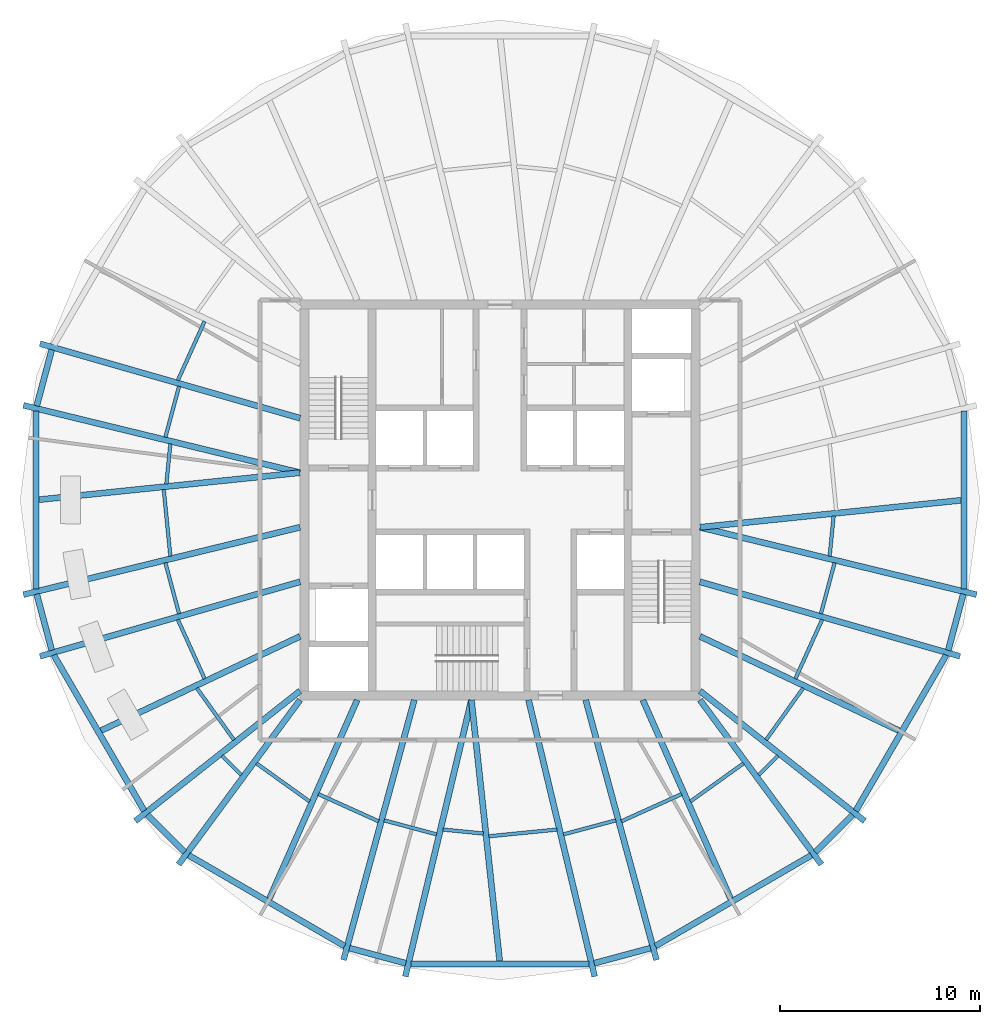
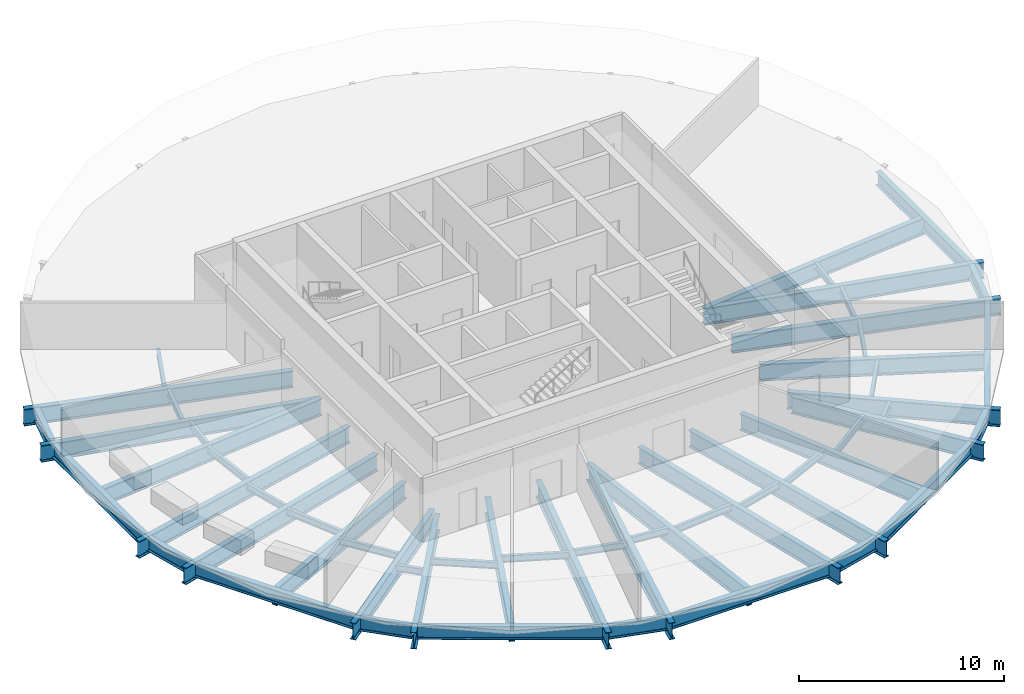
# One storey, part 1 of 7: 56 beams.
"""IFC4 building model written with IfcOpenShell, lengths in metres."""

from ifc_helpers import new_model, si_unit, direction, frame, origin, origin_2d, place, context, subcontext, project, spatial, i_section, extrude, material, material_profile, profile_set, type_object, element, save


model = new_model("IFC4")

# Units and contexts
model_context = context("Model", 3, precision=1e-05, world=origin(), true_north=direction((0.0, 1.0)))
body_context = subcontext(model_context, "Body", "Model", "MODEL_VIEW")
ifc_project = project(units=[si_unit("LENGTHUNIT", "METRE"), si_unit("AREAUNIT", "SQUARE_METRE"), si_unit("VOLUMEUNIT", "CUBIC_METRE"), si_unit("PLANEANGLEUNIT", "RADIAN"), si_unit("MASSUNIT", "GRAM", prefix="KILO")], contexts=[model_context])

# Site, building, storey
site_placement = place(None, origin())
site = spatial("IfcSite", under=ifc_project, at=site_placement, CompositionType="ELEMENT")
building_placement = place(site_placement, origin())
building = spatial("IfcBuilding", under=site, at=building_placement, Name="Golbaran Civic Tower", CompositionType="ELEMENT")
storey_placement = place(building_placement, frame((0.0, 0.0, 171.0)))
storey = spatial("IfcBuildingStorey", under=building, at=storey_placement, Name="L41", CompositionType="ELEMENT", Elevation=171.0)

# Beams
ifc_material = material(Name="Steel S355", Category="steel")
ifc_material_profile_1 = material_profile(ifc_material, i_section(OverallWidth=0.300048828125, OverallDepth=0.800048828125, WebThickness=0.017578125, FlangeThickness=0.032958984375, FilletRadius=0.030029296875, at=origin_2d()), Name="HEB 800")
ifc_profile_set_1 = profile_set([ifc_material_profile_1], Name="Steel S355")
beam_type_1 = type_object("IfcBeamType", Name="EDGE BEAM HEB 800", PredefinedType="BEAM", material=ifc_profile_set_1)
beam_1_placement = place(storey_placement, frame((-22.41259765625, 7.513916015625, -0.60009765625), z_axis=(-0.258979532644, -0.965882809492, 0.0), x_axis=(0.965882809492, -0.258979532644, 0.0)))
element("IfcBeam", 1, at=beam_1_placement, inside=storey, type_object=beam_type_1, Name="Edge beam 161.29 L41", PredefinedType="BEAM", context=body_context, shape_type="SweptSolid", body=[
    extrude(i_section(OverallWidth=0.300048828125, OverallDepth=0.800048828125, WebThickness=0.017578125, FlangeThickness=0.032958984375, FilletRadius=0.030029296875, at=origin_2d()), origin(), (0.0, 0.0, 1.0), 2.9072265625),
])
beam_2_placement = place(storey_placement, frame((-23.19921875, 4.4462890625, -0.60009765625), z_axis=(0.0, -1.0, 0.0), x_axis=(1.0, 0.0, 0.0)))
element("IfcBeam", 2, at=beam_2_placement, inside=storey, type_object=beam_type_1, Name="Edge beam 168.71 L41", PredefinedType="BEAM", context=body_context, shape_type="SweptSolid", body=[
    extrude(i_section(OverallWidth=0.300048828125, OverallDepth=0.800048828125, WebThickness=0.017578125, FlangeThickness=0.032958984375, FilletRadius=0.030029296875, at=origin_2d()), origin(), (0.0, 0.0, 1.0), 8.892578125),
])
beam_3_placement = place(storey_placement, frame((-23.16552734375, -4.705810546875, -0.60009765625), z_axis=(0.258979532644, -0.965882809492, 0.0), x_axis=(0.965882809492, 0.258979532644, 0.0)))
element("IfcBeam", 3, at=beam_3_placement, inside=storey, type_object=beam_type_1, Name="Edge beam 191.29 L41", PredefinedType="BEAM", context=body_context, shape_type="SweptSolid", body=[
    extrude(i_section(OverallWidth=0.300048828125, OverallDepth=0.800048828125, WebThickness=0.017578125, FlangeThickness=0.032958984375, FilletRadius=0.030029296875, at=origin_2d()), origin(), (0.0, 0.0, 1.0), 2.9072265625),
])
beam_4_placement = place(storey_placement, frame((-22.311767578125, -7.75537109375, -0.60009765625), z_axis=(0.502203579972, -0.864749422817, 0.0), x_axis=(0.864749422817, 0.502203579972, 0.0)))
element("IfcBeam", 4, at=beam_4_placement, inside=storey, type_object=beam_type_1, Name="Edge beam 198.71 L41", PredefinedType="BEAM", context=body_context, shape_type="SweptSolid", body=[
    extrude(i_section(OverallWidth=0.300048828125, OverallDepth=0.800048828125, WebThickness=0.017578125, FlangeThickness=0.032958984375, FilletRadius=0.030029296875, at=origin_2d()), origin(), (0.0, 0.0, 1.0), 8.99951171875),
])
beam_5_placement = place(storey_placement, frame((-17.6337890625, -15.743896484375, -0.60009765625), z_axis=(0.706503705369, -0.707709343092, 0.0), x_axis=(0.707709343092, 0.706503705369, 0.0)))
element("IfcBeam", 5, at=beam_5_placement, inside=storey, type_object=beam_type_1, Name="Edge beam 221.29 L41", PredefinedType="BEAM", context=body_context, shape_type="SweptSolid", body=[
    extrude(i_section(OverallWidth=0.300048828125, OverallDepth=0.800048828125, WebThickness=0.017578125, FlangeThickness=0.032958984375, FilletRadius=0.030029296875, at=origin_2d()), origin(), (0.0, 0.0, 1.0), 2.632568359375),
])
beam_6_placement = place(storey_placement, frame((-15.56787109375, -17.765625, -0.60009765625), z_axis=(0.864154529819, -0.503226538046, 0.0), x_axis=(0.503226538046, 0.864154529819, 0.0)))
element("IfcBeam", 6, at=beam_6_placement, inside=storey, type_object=beam_type_1, Name="Edge beam 228.71 L41", PredefinedType="BEAM", context=body_context, shape_type="SweptSolid", body=[
    extrude(i_section(OverallWidth=0.300048828125, OverallDepth=0.800048828125, WebThickness=0.017578125, FlangeThickness=0.032958984375, FilletRadius=0.030029296875, at=origin_2d()), origin(), (0.0, 0.0, 1.0), 9.02294921875),
])
beam_7_placement = place(storey_placement, frame((-7.529052734375, -22.407470703125, -0.60009765625), z_axis=(0.965762613666, -0.259427396481, 0.0), x_axis=(0.259427396481, 0.965762613666, 0.0)))
element("IfcBeam", 7, at=beam_7_placement, inside=storey, type_object=beam_type_1, Name="Edge beam 251.29 L41", PredefinedType="BEAM", context=body_context, shape_type="SweptSolid", body=[
    extrude(i_section(OverallWidth=0.300048828125, OverallDepth=0.800048828125, WebThickness=0.017578125, FlangeThickness=0.032958984375, FilletRadius=0.030029296875, at=origin_2d()), origin(), (0.0, 0.0, 1.0), 2.918212890625),
])
beam_8_placement = place(storey_placement, frame((-4.451416015625, -23.1982421875, -0.60009765625), z_axis=(1.0, 0.0, 0.0), x_axis=(0.0, 1.0, 0.0)))
element("IfcBeam", 8, at=beam_8_placement, inside=storey, type_object=beam_type_1, Name="Edge beam 258.71 L41", PredefinedType="BEAM", context=body_context, shape_type="SweptSolid", body=[
    extrude(i_section(OverallWidth=0.300048828125, OverallDepth=0.800048828125, WebThickness=0.017578125, FlangeThickness=0.032958984375, FilletRadius=0.030029296875, at=origin_2d()), origin(), (0.0, 0.0, 1.0), 8.90283203125),
])
beam_9_placement = place(storey_placement, frame((4.710693359375, -23.16455078125, -0.60009765625), z_axis=(0.965762613666, 0.259427396481, 0.0), x_axis=(-0.259427396481, 0.965762613666, 0.0)))
element("IfcBeam", 9, at=beam_9_placement, inside=storey, type_object=beam_type_1, Name="Edge beam 281.29 L41", PredefinedType="BEAM", context=body_context, shape_type="SweptSolid", body=[
    extrude(i_section(OverallWidth=0.300048828125, OverallDepth=0.800048828125, WebThickness=0.017578125, FlangeThickness=0.032958984375, FilletRadius=0.030029296875, at=origin_2d()), origin(), (0.0, 0.0, 1.0), 2.918212890625),
])
beam_10_placement = place(storey_placement, frame((7.770751953125, -22.30615234375, -0.60009765625), z_axis=(0.864154529819, 0.503226538046, 0.0), x_axis=(-0.503226538046, 0.864154529819, 0.0)))
element("IfcBeam", 10, at=beam_10_placement, inside=storey, type_object=beam_type_1, Name="Edge beam 288.71 L41", PredefinedType="BEAM", context=body_context, shape_type="SweptSolid", body=[
    extrude(i_section(OverallWidth=0.300048828125, OverallDepth=0.800048828125, WebThickness=0.017578125, FlangeThickness=0.032958984375, FilletRadius=0.030029296875, at=origin_2d()), origin(), (0.0, 0.0, 1.0), 9.02294921875),
])
beam_11_placement = place(storey_placement, frame((15.77392578125, -17.60693359375, -0.60009765625), z_axis=(0.706503705369, 0.707709343092, 0.0), x_axis=(-0.707709343092, 0.706503705369, 0.0)))
element("IfcBeam", 11, at=beam_11_placement, inside=storey, type_object=beam_type_1, Name="Edge beam 311.29 L41", PredefinedType="BEAM", context=body_context, shape_type="SweptSolid", body=[
    extrude(i_section(OverallWidth=0.300048828125, OverallDepth=0.800048828125, WebThickness=0.017578125, FlangeThickness=0.032958984375, FilletRadius=0.030029296875, at=origin_2d()), origin(), (0.0, 0.0, 1.0), 2.632568359375),
])
beam_12_placement = place(storey_placement, frame((17.792236328125, -15.53759765625, -0.60009765625), z_axis=(0.502203579972, 0.864749422817, 0.0), x_axis=(-0.864749422817, 0.502203579972, 0.0)))
element("IfcBeam", 12, at=beam_12_placement, inside=storey, type_object=beam_type_1, Name="Edge beam 318.71 L41", PredefinedType="BEAM", context=body_context, shape_type="SweptSolid", body=[
    extrude(i_section(OverallWidth=0.300048828125, OverallDepth=0.800048828125, WebThickness=0.017578125, FlangeThickness=0.032958984375, FilletRadius=0.030029296875, at=origin_2d()), origin(), (0.0, 0.0, 1.0), 8.99951171875),
])
beam_13_placement = place(storey_placement, frame((22.41259765625, -7.513916015625, -0.60009765625), z_axis=(0.258979532644, 0.965882809492, 0.0), x_axis=(-0.965882809492, 0.258979532644, 0.0)))
element("IfcBeam", 13, at=beam_13_placement, inside=storey, type_object=beam_type_1, Name="Edge beam 341.29 L41", PredefinedType="BEAM", context=body_context, shape_type="SweptSolid", body=[
    extrude(i_section(OverallWidth=0.300048828125, OverallDepth=0.800048828125, WebThickness=0.017578125, FlangeThickness=0.032958984375, FilletRadius=0.030029296875, at=origin_2d()), origin(), (0.0, 0.0, 1.0), 2.9072265625),
])
beam_14_placement = place(storey_placement, frame((23.19921875, -4.4462890625, -0.60009765625), z_axis=(0.0, 1.0, 0.0), x_axis=(-1.0, 0.0, 0.0)))
element("IfcBeam", 14, at=beam_14_placement, inside=storey, type_object=beam_type_1, Name="Edge beam 348.71 L41", PredefinedType="BEAM", context=body_context, shape_type="SweptSolid", body=[
    extrude(i_section(OverallWidth=0.300048828125, OverallDepth=0.800048828125, WebThickness=0.017578125, FlangeThickness=0.032958984375, FilletRadius=0.030029296875, at=origin_2d()), origin(), (0.0, 0.0, 1.0), 8.892578125),
])
ifc_material_profile_2 = material_profile(ifc_material, i_section(OverallWidth=0.179931640625, OverallDepth=0.39990234375, WebThickness=0.008544921875, FlangeThickness=0.013427734375, FilletRadius=0.02099609375, at=origin_2d()), Name="IPE 400")
ifc_profile_set_2 = profile_set([ifc_material_profile_2], Name="Steel S355")
beam_type_2 = type_object("IfcBeamType", Name="FLOOR INFILL BEAM IPE 400", PredefinedType="BEAM", material=ifc_profile_set_2)
beam_15_placement = place(storey_placement, frame((-14.771484375, 8.9365234375, -0.39990234375), z_axis=(-0.412380391926, -0.91101175204, 0.0), x_axis=(0.91101175204, -0.412380391926, 0.0)))
element("IfcBeam", 15, at=beam_15_placement, inside=storey, type_object=beam_type_2, Name="Infill beam 155.65 L41", PredefinedType="BEAM", context=body_context, shape_type="SweptSolid", body=[
    extrude(i_section(OverallWidth=0.179931640625, OverallDepth=0.39990234375, WebThickness=0.008544921875, FlangeThickness=0.013427734375, FilletRadius=0.02099609375, at=origin_2d()), origin(), (0.0, 0.0, 1.0), 3.24658203125),
])
beam_16_placement = place(storey_placement, frame((-16.04736328125, 5.690185546875, -0.39990234375), z_axis=(-0.258830002438, -0.965922890213, 0.0), x_axis=(0.965922890213, -0.258830002438, 0.0)))
element("IfcBeam", 16, at=beam_16_placement, inside=storey, type_object=beam_type_2, Name="Infill beam 165.00 L41", PredefinedType="BEAM", context=body_context, shape_type="SweptSolid", body=[
    extrude(i_section(OverallWidth=0.179931640625, OverallDepth=0.39990234375, WebThickness=0.008544921875, FlangeThickness=0.013427734375, FilletRadius=0.02099609375, at=origin_2d()), origin(), (0.0, 0.0, 1.0), 2.64208984375),
])
beam_17_placement = place(storey_placement, frame((-16.48388671875, 2.810302734375, -0.39990234375), z_axis=(-0.098460460451, -0.995140963747, 0.0), x_axis=(0.995140963747, -0.098460460451, 0.0)))
element("IfcBeam", 17, at=beam_17_placement, inside=storey, type_object=beam_type_2, Name="Infill beam 174.35 L41", PredefinedType="BEAM", context=body_context, shape_type="SweptSolid", body=[
    extrude(i_section(OverallWidth=0.179931640625, OverallDepth=0.39990234375, WebThickness=0.008544921875, FlangeThickness=0.013427734375, FilletRadius=0.02099609375, at=origin_2d()), origin(), (0.0, 0.0, 1.0), 2.015869140625),
])
beam_18_placement = place(storey_placement, frame((-16.814208984375, 0.529296875, -0.39990234375), z_axis=(0.098430422142, -0.995143935316, 0.0), x_axis=(0.995143935316, 0.098430422142, 0.0)))
element("IfcBeam", 18, at=beam_18_placement, inside=storey, type_object=beam_type_2, Name="Infill beam 185.65 L41", PredefinedType="BEAM", context=body_context, shape_type="SweptSolid", body=[
    extrude(i_section(OverallWidth=0.179931640625, OverallDepth=0.39990234375, WebThickness=0.008544921875, FlangeThickness=0.013427734375, FilletRadius=0.02099609375, at=origin_2d()), origin(), (0.0, 0.0, 1.0), 3.35595703125),
])
beam_19_placement = place(storey_placement, frame((-16.731201171875, -3.13818359375, -0.39990234375), z_axis=(0.258830002438, -0.965922890213, 0.0), x_axis=(0.965922890213, 0.258830002438, 0.0)))
element("IfcBeam", 19, at=beam_19_placement, inside=storey, type_object=beam_type_2, Name="Infill beam 195.00 L41", PredefinedType="BEAM", context=body_context, shape_type="SweptSolid", body=[
    extrude(i_section(OverallWidth=0.179931640625, OverallDepth=0.39990234375, WebThickness=0.008544921875, FlangeThickness=0.013427734375, FilletRadius=0.02099609375, at=origin_2d()), origin(), (0.0, 0.0, 1.0), 2.64208984375),
])
beam_20_placement = place(storey_placement, frame((-16.1103515625, -5.978759765625, -0.39990234375), z_axis=(0.412380391926, -0.91101175204, 0.0), x_axis=(0.91101175204, 0.412380391926, 0.0)))
element("IfcBeam", 20, at=beam_20_placement, inside=storey, type_object=beam_type_2, Name="Infill beam 204.35 L41", PredefinedType="BEAM", context=body_context, shape_type="SweptSolid", body=[
    extrude(i_section(OverallWidth=0.179931640625, OverallDepth=0.39990234375, WebThickness=0.008544921875, FlangeThickness=0.013427734375, FilletRadius=0.02099609375, at=origin_2d()), origin(), (0.0, 0.0, 1.0), 3.24658203125),
])
beam_21_placement = place(storey_placement, frame((-15.15869140625, -9.407470703125, -0.39990234375), z_axis=(0.582826391099, -0.812596700608, 0.0), x_axis=(0.812596700608, 0.582826391099, 0.0)))
element("IfcBeam", 21, at=beam_21_placement, inside=storey, type_object=beam_type_2, Name="Infill beam 215.65 L41", PredefinedType="BEAM", context=body_context, shape_type="SweptSolid", body=[
    extrude(i_section(OverallWidth=0.179931640625, OverallDepth=0.39990234375, WebThickness=0.008544921875, FlangeThickness=0.013427734375, FilletRadius=0.02099609375, at=origin_2d()), origin(), (0.0, 0.0, 1.0), 3.182373046875),
])
beam_22_placement = place(storey_placement, frame((-13.896728515625, -12.79296875, -0.39990234375), z_axis=(0.707106781187, -0.707106781187, 0.0), x_axis=(0.707106781187, 0.707106781187, 0.0)))
element("IfcBeam", 22, at=beam_22_placement, inside=storey, type_object=beam_type_2, Name="Infill beam 225.00 L41", PredefinedType="BEAM", context=body_context, shape_type="SweptSolid", body=[
    extrude(i_section(OverallWidth=0.179931640625, OverallDepth=0.39990234375, WebThickness=0.008544921875, FlangeThickness=0.013427734375, FilletRadius=0.02099609375, at=origin_2d()), origin(), (0.0, 0.0, 1.0), 1.36279296875),
])
beam_23_placement = place(storey_placement, frame((-12.1767578125, -13.16943359375, -0.39990234375), z_axis=(0.812625262749, -0.582786566713, 0.0), x_axis=(0.582786566713, 0.812625262749, 0.0)))
element("IfcBeam", 23, at=beam_23_placement, inside=storey, type_object=beam_type_2, Name="Infill beam 234.35 L41", PredefinedType="BEAM", context=body_context, shape_type="SweptSolid", body=[
    extrude(i_section(OverallWidth=0.179931640625, OverallDepth=0.39990234375, WebThickness=0.008544921875, FlangeThickness=0.013427734375, FilletRadius=0.02099609375, at=origin_2d()), origin(), (0.0, 0.0, 1.0), 3.26416015625),
])
beam_24_placement = place(storey_placement, frame((-9.0791015625, -14.707275390625, -0.39990234375), z_axis=(0.911026547814, -0.412347704224, 0.0), x_axis=(0.412347704224, 0.911026547814, 0.0)))
element("IfcBeam", 24, at=beam_24_placement, inside=storey, type_object=beam_type_2, Name="Infill beam 245.65 L41", PredefinedType="BEAM", context=body_context, shape_type="SweptSolid", body=[
    extrude(i_section(OverallWidth=0.179931640625, OverallDepth=0.39990234375, WebThickness=0.008544921875, FlangeThickness=0.013427734375, FilletRadius=0.02099609375, at=origin_2d()), origin(), (0.0, 0.0, 1.0), 3.30029296875),
])
beam_25_placement = place(storey_placement, frame((-5.7900390625, -16.0205078125, -0.39990234375), z_axis=(0.965933989665, -0.258788577047, 0.0), x_axis=(0.258788577047, 0.965933989665, 0.0)))
element("IfcBeam", 25, at=beam_25_placement, inside=storey, type_object=beam_type_2, Name="Infill beam 255.00 L41", PredefinedType="BEAM", context=body_context, shape_type="SweptSolid", body=[
    extrude(i_section(OverallWidth=0.179931640625, OverallDepth=0.39990234375, WebThickness=0.008544921875, FlangeThickness=0.013427734375, FilletRadius=0.02099609375, at=origin_2d()), origin(), (0.0, 0.0, 1.0), 2.712158203125),
])
beam_26_placement = place(storey_placement, frame((-2.8447265625, -16.47998046875, -0.39990234375), z_axis=(0.995139665373, -0.098473582253, 0.0), x_axis=(0.098473582253, 0.995139665373, 0.0)))
element("IfcBeam", 26, at=beam_26_placement, inside=storey, type_object=beam_type_2, Name="Infill beam 264.35 L41", PredefinedType="BEAM", context=body_context, shape_type="SweptSolid", body=[
    extrude(i_section(OverallWidth=0.179931640625, OverallDepth=0.39990234375, WebThickness=0.008544921875, FlangeThickness=0.013427734375, FilletRadius=0.02099609375, at=origin_2d()), origin(), (0.0, 0.0, 1.0), 2.01806640625),
])
beam_27_placement = place(storey_placement, frame((-0.56005859375, -16.816650390625, -0.39990234375), z_axis=(0.995146794815, 0.098401507963, 0.0), x_axis=(-0.098401507963, 0.995146794815, 0.0)))
element("IfcBeam", 27, at=beam_27_placement, inside=storey, type_object=beam_type_2, Name="Infill beam 275.65 L41", PredefinedType="BEAM", context=body_context, shape_type="SweptSolid", body=[
    extrude(i_section(OverallWidth=0.179931640625, OverallDepth=0.39990234375, WebThickness=0.008544921875, FlangeThickness=0.013427734375, FilletRadius=0.02099609375, at=origin_2d()), origin(), (0.0, 0.0, 1.0), 3.42138671875),
])
beam_28_placement = place(storey_placement, frame((3.170166015625, -16.722412109375, -0.39990234375), z_axis=(0.965933989665, 0.258788577047, 0.0), x_axis=(-0.258788577047, 0.965933989665, 0.0)))
element("IfcBeam", 28, at=beam_28_placement, inside=storey, type_object=beam_type_2, Name="Infill beam 285.00 L41", PredefinedType="BEAM", context=body_context, shape_type="SweptSolid", body=[
    extrude(i_section(OverallWidth=0.179931640625, OverallDepth=0.39990234375, WebThickness=0.008544921875, FlangeThickness=0.013427734375, FilletRadius=0.02099609375, at=origin_2d()), origin(), (0.0, 0.0, 1.0), 2.712158203125),
])
beam_29_placement = place(storey_placement, frame((6.072509765625, -16.068115234375, -0.39990234375), z_axis=(0.911026547814, 0.412347704224, 0.0), x_axis=(-0.412347704224, 0.911026547814, 0.0)))
element("IfcBeam", 29, at=beam_29_placement, inside=storey, type_object=beam_type_2, Name="Infill beam 294.35 L41", PredefinedType="BEAM", context=body_context, shape_type="SweptSolid", body=[
    extrude(i_section(OverallWidth=0.179931640625, OverallDepth=0.39990234375, WebThickness=0.008544921875, FlangeThickness=0.013427734375, FilletRadius=0.02099609375, at=origin_2d()), origin(), (0.0, 0.0, 1.0), 3.30029296875),
])
beam_30_placement = place(storey_placement, frame((9.524169921875, -15.07177734375, -0.39990234375), z_axis=(0.812625262749, 0.582786566713, 0.0), x_axis=(-0.582786566713, 0.812625262749, 0.0)))
element("IfcBeam", 30, at=beam_30_placement, inside=storey, type_object=beam_type_2, Name="Infill beam 305.65 L41", PredefinedType="BEAM", context=body_context, shape_type="SweptSolid", body=[
    extrude(i_section(OverallWidth=0.179931640625, OverallDepth=0.39990234375, WebThickness=0.008544921875, FlangeThickness=0.013427734375, FilletRadius=0.02099609375, at=origin_2d()), origin(), (0.0, 0.0, 1.0), 3.26416015625),
])
beam_31_placement = place(storey_placement, frame((12.93310546875, -13.756591796875, -0.39990234375), z_axis=(0.707106781187, 0.707106781187, 0.0), x_axis=(-0.707106781187, 0.707106781187, 0.0)))
element("IfcBeam", 31, at=beam_31_placement, inside=storey, type_object=beam_type_2, Name="Infill beam 315.00 L41", PredefinedType="BEAM", context=body_context, shape_type="SweptSolid", body=[
    extrude(i_section(OverallWidth=0.179931640625, OverallDepth=0.39990234375, WebThickness=0.008544921875, FlangeThickness=0.013427734375, FilletRadius=0.02099609375, at=origin_2d()), origin(), (0.0, 0.0, 1.0), 1.36279296875),
])
beam_32_placement = place(storey_placement, frame((13.303955078125, -11.993408203125, -0.39990234375), z_axis=(0.582826391099, 0.812596700608, 0.0), x_axis=(-0.812596700608, 0.582826391099, 0.0)))
element("IfcBeam", 32, at=beam_32_placement, inside=storey, type_object=beam_type_2, Name="Infill beam 324.35 L41", PredefinedType="BEAM", context=body_context, shape_type="SweptSolid", body=[
    extrude(i_section(OverallWidth=0.179931640625, OverallDepth=0.39990234375, WebThickness=0.008544921875, FlangeThickness=0.013427734375, FilletRadius=0.02099609375, at=origin_2d()), origin(), (0.0, 0.0, 1.0), 3.182373046875),
])
beam_33_placement = place(storey_placement, frame((14.771484375, -8.9365234375, -0.39990234375), z_axis=(0.412380391926, 0.91101175204, 0.0), x_axis=(-0.91101175204, 0.412380391926, 0.0)))
element("IfcBeam", 33, at=beam_33_placement, inside=storey, type_object=beam_type_2, Name="Infill beam 335.65 L41", PredefinedType="BEAM", context=body_context, shape_type="SweptSolid", body=[
    extrude(i_section(OverallWidth=0.179931640625, OverallDepth=0.39990234375, WebThickness=0.008544921875, FlangeThickness=0.013427734375, FilletRadius=0.02099609375, at=origin_2d()), origin(), (0.0, 0.0, 1.0), 3.24658203125),
])
beam_34_placement = place(storey_placement, frame((16.04736328125, -5.690185546875, -0.39990234375), z_axis=(0.258830002438, 0.965922890213, 0.0), x_axis=(-0.965922890213, 0.258830002438, 0.0)))
element("IfcBeam", 34, at=beam_34_placement, inside=storey, type_object=beam_type_2, Name="Infill beam 345.00 L41", PredefinedType="BEAM", context=body_context, shape_type="SweptSolid", body=[
    extrude(i_section(OverallWidth=0.179931640625, OverallDepth=0.39990234375, WebThickness=0.008544921875, FlangeThickness=0.013427734375, FilletRadius=0.02099609375, at=origin_2d()), origin(), (0.0, 0.0, 1.0), 2.64208984375),
])
beam_35_placement = place(storey_placement, frame((16.48388671875, -2.810302734375, -0.39990234375), z_axis=(0.098460460451, 0.995140963747, 0.0), x_axis=(-0.995140963747, 0.098460460451, 0.0)))
element("IfcBeam", 35, at=beam_35_placement, inside=storey, type_object=beam_type_2, Name="Infill beam 354.35 L41", PredefinedType="BEAM", context=body_context, shape_type="SweptSolid", body=[
    extrude(i_section(OverallWidth=0.179931640625, OverallDepth=0.39990234375, WebThickness=0.008544921875, FlangeThickness=0.013427734375, FilletRadius=0.02099609375, at=origin_2d()), origin(), (0.0, 0.0, 1.0), 2.015869140625),
])
ifc_material_profile_3 = material_profile(ifc_material, i_section(OverallWidth=0.300048828125, OverallDepth=1.0, WebThickness=0.01904296875, FlangeThickness=0.035888671875, FilletRadius=0.030029296875, at=origin_2d()), Name="HEB 1000")
ifc_profile_set_3 = profile_set([ifc_material_profile_3], Name="Steel S355")
beam_type_3 = type_object("IfcBeamType", Name="RADIAL FLOOR BEAM HEB 1000", PredefinedType="BEAM", material=ifc_profile_set_3)
beam_36_placement = place(storey_placement, frame((-10.0, 4.0927734375, -0.7099609375), z_axis=(-0.961322059036, 0.275426757615, 0.0), x_axis=(-0.275426757615, -0.961322059036, 0.0)))
element("IfcBeam", 36, at=beam_36_placement, inside=storey, type_object=beam_type_3, Name="Radial beam 161.29 L41", PredefinedType="BEAM", context=body_context, shape_type="SweptSolid", body=[
    extrude(i_section(OverallWidth=0.300048828125, OverallDepth=1.0, WebThickness=0.01904296875, FlangeThickness=0.035888671875, FilletRadius=0.030029296875, at=origin_2d()), origin(), (0.0, 0.0, 1.0), 13.52490234375),
])
for number, where, z_axis, x_axis, name in (
    (37, (-10.0, 1.3642578125, -0.7099609375), (-0.971577036972, 0.236723596689, 0.0), (-0.236723596689, -0.971577036972, 0.0), "Radial beam 168.71 L41"),
    (38, (-10.0, -1.3642578125, -0.7099609375), (-0.971577036972, -0.236723596689, 0.0), (0.236723596689, -0.971577036972, 0.0), "Radial beam 191.29 L41"),
):
    element("IfcBeam", number, at=place(storey_placement, frame(where, z_axis=z_axis, x_axis=x_axis)), inside=storey, type_object=beam_type_3, Name=name, PredefinedType="BEAM", context=body_context, shape_type="SweptSolid", body=[
        extrude(i_section(OverallWidth=0.300048828125, OverallDepth=1.0, WebThickness=0.01904296875, FlangeThickness=0.035888671875, FilletRadius=0.030029296875, at=origin_2d()), origin(), (0.0, 0.0, 1.0), 14.2333984375),
    ])
beam_37_placement = place(storey_placement, frame((-10.0, -4.0927734375, -0.7099609375), z_axis=(-0.961322059036, -0.275426757615, 0.0), x_axis=(0.275426757615, -0.961322059036, 0.0)))
element("IfcBeam", 39, at=beam_37_placement, inside=storey, type_object=beam_type_3, Name="Radial beam 198.71 L41", PredefinedType="BEAM", context=body_context, shape_type="SweptSolid", body=[
    extrude(i_section(OverallWidth=0.300048828125, OverallDepth=1.0, WebThickness=0.01904296875, FlangeThickness=0.035888671875, FilletRadius=0.030029296875, at=origin_2d()), origin(), (0.0, 0.0, 1.0), 13.52490234375),
])
beam_38_placement = place(storey_placement, frame((-10.0, -9.550048828125, -0.7099609375), z_axis=(-0.78479644347, -0.619753614202, 0.0), x_axis=(0.619753614202, -0.78479644347, 0.0)))
element("IfcBeam", 40, at=beam_38_placement, inside=storey, type_object=beam_type_3, Name="Radial beam 221.29 L41", PredefinedType="BEAM", context=body_context, shape_type="SweptSolid", body=[
    extrude(i_section(OverallWidth=0.300048828125, OverallDepth=1.0, WebThickness=0.01904296875, FlangeThickness=0.035888671875, FilletRadius=0.030029296875, at=origin_2d()), origin(), (0.0, 0.0, 1.0), 10.498291015625),
])
beam_39_placement = place(storey_placement, frame((-10.0, -10.0, -0.7099609375), z_axis=(-0.593701413465, -0.804685424032, 0.0), x_axis=(0.804685424032, -0.593701413465, 0.0)))
element("IfcBeam", 41, at=beam_39_placement, inside=storey, type_object=beam_type_3, Name="Radial beam 228.71 L41", PredefinedType="BEAM", context=body_context, shape_type="SweptSolid", body=[
    extrude(i_section(OverallWidth=0.300048828125, OverallDepth=1.0, WebThickness=0.01904296875, FlangeThickness=0.035888671875, FilletRadius=0.030029296875, at=origin_2d()), origin(), (0.0, 0.0, 1.0), 10.225830078125),
])
beam_40_placement = place(storey_placement, frame((-4.28564453125, -10.0, -0.7099609375), z_axis=(-0.262698759241, -0.964877899992, 0.0), x_axis=(0.964877899992, -0.262698759241, 0.0)))
element("IfcBeam", 42, at=beam_40_placement, inside=storey, type_object=beam_type_3, Name="Radial beam 251.29 L41", PredefinedType="BEAM", context=body_context, shape_type="SweptSolid", body=[
    extrude(i_section(OverallWidth=0.300048828125, OverallDepth=1.0, WebThickness=0.01904296875, FlangeThickness=0.035888671875, FilletRadius=0.030029296875, at=origin_2d()), origin(), (0.0, 0.0, 1.0), 13.471923828125),
])
for number, where, z_axis, x_axis, name in (
    (43, (-1.428466796875, -10.0, -0.7099609375), (-0.232608521168, -0.972570447772, 0.0), (0.972570447772, -0.232608521168, 0.0), "Radial beam 258.71 L41"),
    (44, (1.428466796875, -10.0, -0.7099609375), (0.232608521168, -0.972570447772, 0.0), (0.972570447772, 0.232608521168, 0.0), "Radial beam 281.29 L41"),
):
    element("IfcBeam", number, at=place(storey_placement, frame(where, z_axis=z_axis, x_axis=x_axis)), inside=storey, type_object=beam_type_3, Name=name, PredefinedType="BEAM", context=body_context, shape_type="SweptSolid", body=[
        extrude(i_section(OverallWidth=0.300048828125, OverallDepth=1.0, WebThickness=0.01904296875, FlangeThickness=0.035888671875, FilletRadius=0.030029296875, at=origin_2d()), origin(), (0.0, 0.0, 1.0), 14.218505859375),
    ])
beam_41_placement = place(storey_placement, frame((4.28564453125, -10.0, -0.7099609375), z_axis=(0.262698759241, -0.964877899992, 0.0), x_axis=(0.964877899992, 0.262698759241, 0.0)))
element("IfcBeam", 45, at=beam_41_placement, inside=storey, type_object=beam_type_3, Name="Radial beam 288.71 L41", PredefinedType="BEAM", context=body_context, shape_type="SweptSolid", body=[
    extrude(i_section(OverallWidth=0.300048828125, OverallDepth=1.0, WebThickness=0.01904296875, FlangeThickness=0.035888671875, FilletRadius=0.030029296875, at=origin_2d()), origin(), (0.0, 0.0, 1.0), 13.471923828125),
])
beam_42_placement = place(storey_placement, frame((10.0, -10.0, -0.7099609375), z_axis=(0.593701413465, -0.804685424032, 0.0), x_axis=(0.804685424032, 0.593701413465, 0.0)))
element("IfcBeam", 46, at=beam_42_placement, inside=storey, type_object=beam_type_3, Name="Radial beam 311.29 L41", PredefinedType="BEAM", context=body_context, shape_type="SweptSolid", body=[
    extrude(i_section(OverallWidth=0.300048828125, OverallDepth=1.0, WebThickness=0.01904296875, FlangeThickness=0.035888671875, FilletRadius=0.030029296875, at=origin_2d()), origin(), (0.0, 0.0, 1.0), 10.225830078125),
])
beam_43_placement = place(storey_placement, frame((10.0, -9.550048828125, -0.7099609375), z_axis=(0.78479644347, -0.619753614202, 0.0), x_axis=(0.619753614202, 0.78479644347, 0.0)))
element("IfcBeam", 47, at=beam_43_placement, inside=storey, type_object=beam_type_3, Name="Radial beam 318.71 L41", PredefinedType="BEAM", context=body_context, shape_type="SweptSolid", body=[
    extrude(i_section(OverallWidth=0.300048828125, OverallDepth=1.0, WebThickness=0.01904296875, FlangeThickness=0.035888671875, FilletRadius=0.030029296875, at=origin_2d()), origin(), (0.0, 0.0, 1.0), 10.498291015625),
])
beam_44_placement = place(storey_placement, frame((10.0, -4.0927734375, -0.7099609375), z_axis=(0.961322059036, -0.275426757615, 0.0), x_axis=(0.275426757615, 0.961322059036, 0.0)))
element("IfcBeam", 48, at=beam_44_placement, inside=storey, type_object=beam_type_3, Name="Radial beam 341.29 L41", PredefinedType="BEAM", context=body_context, shape_type="SweptSolid", body=[
    extrude(i_section(OverallWidth=0.300048828125, OverallDepth=1.0, WebThickness=0.01904296875, FlangeThickness=0.035888671875, FilletRadius=0.030029296875, at=origin_2d()), origin(), (0.0, 0.0, 1.0), 13.52490234375),
])
beam_45_placement = place(storey_placement, frame((10.0, -1.3642578125, -0.7099609375), z_axis=(0.971577036972, -0.236723596689, 0.0), x_axis=(0.236723596689, 0.971577036972, 0.0)))
element("IfcBeam", 49, at=beam_45_placement, inside=storey, type_object=beam_type_3, Name="Radial beam 348.71 L41", PredefinedType="BEAM", context=body_context, shape_type="SweptSolid", body=[
    extrude(i_section(OverallWidth=0.300048828125, OverallDepth=1.0, WebThickness=0.01904296875, FlangeThickness=0.035888671875, FilletRadius=0.030029296875, at=origin_2d()), origin(), (0.0, 0.0, 1.0), 14.2333984375),
])
ifc_material_profile_4 = material_profile(ifc_material, i_section(OverallWidth=0.300048828125, OverallDepth=1.0, WebThickness=0.01904296875, FlangeThickness=0.035888671875, FilletRadius=0.030029296875, at=origin_2d()), Name="HEB 1000")
ifc_profile_set_4 = profile_set([ifc_material_profile_4], Name="Steel S355")
beam_type_4 = type_object("IfcBeamType", Name="SECONDARY FLOOR BEAM HEB 1000", PredefinedType="BEAM", material=ifc_profile_set_4)
for number, where, z_axis, x_axis, name in (
    (50, (10.0, -1.3642578125, -0.7099609375), (0.994700881008, 0.102811270403, 0.0), (-0.102811270403, 0.994700881008, 0.0), "Secondary beam 0.00 L41"),
    (51, (-10.0, 1.3642578125, -0.7099609375), (-0.994700881008, -0.102811270403, 0.0), (0.102811270403, -0.994700881008, 0.0), "Secondary beam 180.00 L41"),
):
    element("IfcBeam", number, at=place(storey_placement, frame(where, z_axis=z_axis, x_axis=x_axis)), inside=storey, type_object=beam_type_4, Name=name, PredefinedType="BEAM", context=body_context, shape_type="SweptSolid", body=[
        extrude(i_section(OverallWidth=0.300048828125, OverallDepth=1.0, WebThickness=0.01904296875, FlangeThickness=0.035888671875, FilletRadius=0.030029296875, at=origin_2d()), origin(), (0.0, 0.0, 1.0), 13.26953125),
    ])
beam_46_placement = place(storey_placement, frame((-10.0, -6.821533203125, -0.7099609375), z_axis=(-0.903833187021, -0.427884996277, 0.0), x_axis=(0.427884996277, -0.903833187021, 0.0)))
element("IfcBeam", 52, at=beam_46_placement, inside=storey, type_object=beam_type_4, Name="Secondary beam 210.00 L41", PredefinedType="BEAM", context=body_context, shape_type="SweptSolid", body=[
    extrude(i_section(OverallWidth=0.300048828125, OverallDepth=1.0, WebThickness=0.01904296875, FlangeThickness=0.035888671875, FilletRadius=0.030029296875, at=origin_2d()), origin(), (0.0, 0.0, 1.0), 11.15478515625),
])
beam_47_placement = place(storey_placement, frame((-7.142822265625, -10.0, -0.7099609375), z_axis=(-0.40389439134, -0.914805619049, 0.0), x_axis=(0.914805619049, -0.40389439134, 0.0)))
element("IfcBeam", 53, at=beam_47_placement, inside=storey, type_object=beam_type_4, Name="Secondary beam 240.00 L41", PredefinedType="BEAM", context=body_context, shape_type="SweptSolid", body=[
    extrude(i_section(OverallWidth=0.300048828125, OverallDepth=1.0, WebThickness=0.01904296875, FlangeThickness=0.035888671875, FilletRadius=0.030029296875, at=origin_2d()), origin(), (0.0, 0.0, 1.0), 11.018798828125),
])
beam_48_placement = place(storey_placement, frame((-1.428466796875, -10.0, -0.7099609375), z_axis=(0.107603193349, -0.994193921115, 0.0), x_axis=(0.994193921115, 0.107603193349, 0.0)))
element("IfcBeam", 54, at=beam_48_placement, inside=storey, type_object=beam_type_4, Name="Secondary beam 270.00 L41", PredefinedType="BEAM", context=body_context, shape_type="SweptSolid", body=[
    extrude(i_section(OverallWidth=0.300048828125, OverallDepth=1.0, WebThickness=0.01904296875, FlangeThickness=0.035888671875, FilletRadius=0.030029296875, at=origin_2d()), origin(), (0.0, 0.0, 1.0), 13.275390625),
])
beam_49_placement = place(storey_placement, frame((7.142822265625, -10.0, -0.7099609375), z_axis=(0.40389439134, -0.914805619049, 0.0), x_axis=(0.914805619049, 0.40389439134, 0.0)))
element("IfcBeam", 55, at=beam_49_placement, inside=storey, type_object=beam_type_4, Name="Secondary beam 300.00 L41", PredefinedType="BEAM", context=body_context, shape_type="SweptSolid", body=[
    extrude(i_section(OverallWidth=0.300048828125, OverallDepth=1.0, WebThickness=0.01904296875, FlangeThickness=0.035888671875, FilletRadius=0.030029296875, at=origin_2d()), origin(), (0.0, 0.0, 1.0), 11.018798828125),
])
beam_50_placement = place(storey_placement, frame((10.0, -6.821533203125, -0.7099609375), z_axis=(0.903833187021, -0.427884996277, 0.0), x_axis=(0.427884996277, 0.903833187021, 0.0)))
element("IfcBeam", 56, at=beam_50_placement, inside=storey, type_object=beam_type_4, Name="Secondary beam 330.00 L41", PredefinedType="BEAM", context=body_context, shape_type="SweptSolid", body=[
    extrude(i_section(OverallWidth=0.300048828125, OverallDepth=1.0, WebThickness=0.01904296875, FlangeThickness=0.035888671875, FilletRadius=0.030029296875, at=origin_2d()), origin(), (0.0, 0.0, 1.0), 11.15478515625),
])

save(model, "model.ifc")
